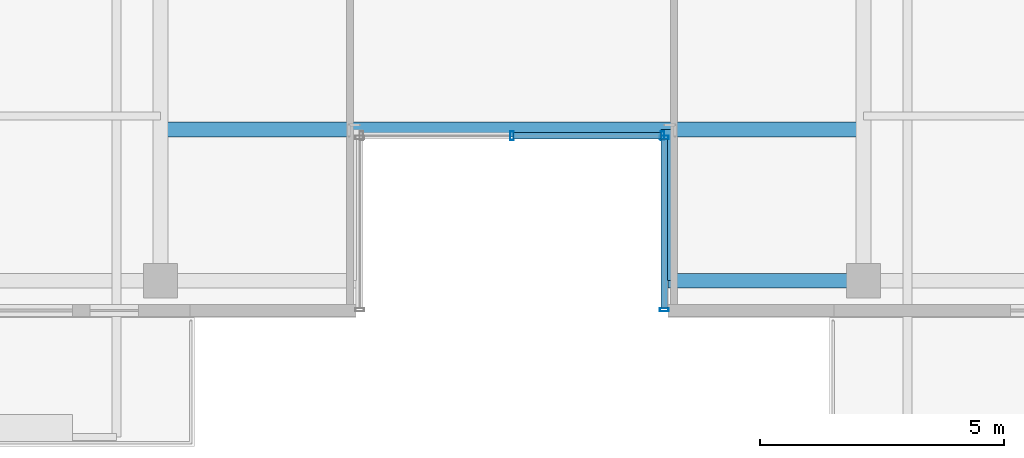
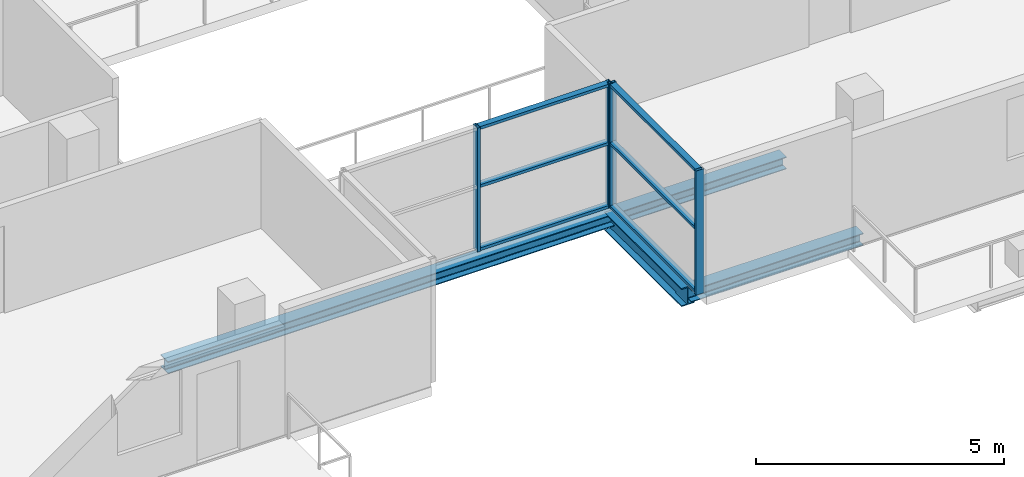
# One storey, part 7 of 23: 10 members, 3 beams, 2 elements without a shape of their own.
"""IFC4 building model written with IfcOpenShell, lengths in metres."""

from ifc_helpers import new_model, si_unit, direction, frame, origin, origin_2d, place, context, subcontext, project, spatial, hollow_rectangle, i_section, extrude, source, transform, mapped, material, layer, layer_set, material_profile, profile_set, type_object, element, aggregate, save


model = new_model("IFC4")

# Units and contexts
model_context = context("Model", 3, precision=1e-05, world=origin(), true_north=direction((0.0, 1.0)))
body_context = subcontext(model_context, "Body", "Model", "MODEL_VIEW")
ifc_project = project(units=[si_unit("LENGTHUNIT", "METRE"), si_unit("AREAUNIT", "SQUARE_METRE"), si_unit("VOLUMEUNIT", "CUBIC_METRE"), si_unit("PLANEANGLEUNIT", "RADIAN"), si_unit("MASSUNIT", "GRAM", prefix="KILO")], contexts=[model_context])

# Site, building, storey
site_placement = place(None, origin())
site = spatial("IfcSite", under=ifc_project, at=site_placement, CompositionType="ELEMENT")
building_placement = place(site_placement, origin())
building = spatial("IfcBuilding", under=site, at=building_placement, Name="Zarnakvel Exchange Tower", CompositionType="ELEMENT")
storey_placement = place(building_placement, frame((0.0, 0.0, 212.199951171875)))
storey = spatial("IfcBuildingStorey", under=building, at=storey_placement, Name="L59", CompositionType="ELEMENT", Elevation=212.199951171875)

# Beams
ifc_material_1 = material(Name="Steel S355", Category="steel")
ifc_material_profile_1 = material_profile(ifc_material_1, i_section(OverallWidth=0.300048828125, OverallDepth=0.449951171875, WebThickness=0.013916015625, FlangeThickness=0.02587890625, FilletRadius=0.027099609375, at=origin_2d()))
ifc_profile_set_1 = profile_set([ifc_material_profile_1], Name="Steel S355")
beam_type_1 = type_object("IfcBeamType", Name="G-07", PredefinedType="BEAM", material=ifc_profile_set_1)
beam_1_placement = place(storey_placement, frame((3.199951171875, -16.35009765625, -0.449951171875), z_axis=(0.0, 1.0, 0.0), x_axis=(-1.0, 0.0, 0.0)))
element("IfcBeam", 1, at=beam_1_placement, inside=storey, type_object=beam_type_1, Name="L59 South Slot East Cheek Beam", PredefinedType="BEAM", context=body_context, shape_type="SweptSolid", body=[
    extrude(i_section(OverallWidth=0.300048828125, OverallDepth=0.449951171875, WebThickness=0.013916015625, FlangeThickness=0.02587890625, FilletRadius=0.027099609375, at=origin_2d()), origin(), (0.0, 0.0, 1.0), 3.10009765625),
])
ifc_material_profile_2 = material_profile(ifc_material_1, i_section(OverallWidth=0.300048828125, OverallDepth=0.300048828125, WebThickness=0.010986328125, FlangeThickness=0.01904296875, FilletRadius=0.027099609375, at=origin_2d()))
ifc_profile_set_2 = profile_set([ifc_material_profile_2], Name="Steel S355")
beam_type_2 = type_object("IfcBeamType", Name="SP-03", PredefinedType="SPANDREL", material=ifc_profile_set_2)
beam_2_placement = place(storey_placement, frame((3.199951171875, -16.35009765625, -0.375), z_axis=(1.0, 0.0, 0.0), x_axis=(0.0, 1.0, 0.0)))
element("IfcBeam", 2, at=beam_2_placement, inside=storey, type_object=beam_type_2, Name="L59 South Slot East Jamb Spandrel", PredefinedType="SPANDREL", context=body_context, shape_type="SweptSolid", body=[
    extrude(i_section(OverallWidth=0.300048828125, OverallDepth=0.300048828125, WebThickness=0.010986328125, FlangeThickness=0.01904296875, FilletRadius=0.027099609375, at=origin_2d()), origin(), (0.0, 0.0, 1.0), 4.0),
])
beam_3_placement = place(storey_placement, frame((-7.199951171875, -13.25, -0.375), z_axis=(1.0, 0.0, 0.0), x_axis=(0.0, 1.0, 0.0)))
element("IfcBeam", 3, at=beam_3_placement, inside=storey, type_object=beam_type_2, Name="L59 South Slot Head Trimmer Girder", PredefinedType="SPANDREL", context=body_context, shape_type="SweptSolid", body=[
    extrude(i_section(OverallWidth=0.300048828125, OverallDepth=0.300048828125, WebThickness=0.010986328125, FlangeThickness=0.01904296875, FilletRadius=0.027099609375, at=origin_2d()), origin(), (0.0, 0.0, 1.0), 14.39990234375),
])

# Curtain wall, members
ifc_material_2 = material(Name="Architectural Bronze Anodised Aluminium", Category="aluminium")
ifc_layer = layer(ifc_material_2, 0.179931640625)
ifc_layer_set = layer_set([ifc_layer], Name="Architectural Bronze Anodised Aluminium")
curtain_wall_type = type_object("IfcCurtainWallType", Name="CW-05", PredefinedType="NOTDEFINED", material=ifc_layer_set)
curtain_wall_1_placement = place(storey_placement, origin())
curtain_wall_1 = element("IfcCurtainWall", 4, at=curtain_wall_1_placement, inside=storey, type_object=curtain_wall_type, Name="L59 Curtain Wall CW-L59-SLE (CW-05)", PredefinedType="NOTDEFINED")
ifc_material_profile_3 = material_profile(ifc_material_2, hollow_rectangle(XDim=0.139892578125, YDim=0.070068359375, WallThickness=0.00390625, at=origin_2d()))
ifc_profile_set_3 = profile_set([ifc_material_profile_3], Name="Architectural Bronze Anodised Aluminium")
member_type_1 = type_object("IfcMemberType", Name="CWT-05", PredefinedType="USERDEFINED", material=ifc_profile_set_3)
shared_shape_1 = source(origin(), body_context, "Body", "SweptSolid", [
    extrude(hollow_rectangle(XDim=0.139892578125, YDim=0.070068359375, WallThickness=0.00390625, at=origin_2d()), origin(), (0.0, 0.0, 1.0), 3.4599609375),
])
member_1_placement = place(storey_placement, frame((3.1201171875, -13.449951171875, 0.03515625), z_axis=(0.0, -1.0, 0.0), x_axis=(1.0, 0.0, 0.0)))
member_1 = element("IfcMember", 5, at=member_1_placement, type_object=member_type_1, Name="CW-05 transom 1.1", ObjectType="TRANSOM", PredefinedType="USERDEFINED", context=body_context, shape_type="MappedRepresentation", body=[
    mapped(shared_shape_1, transform((0.0, 0.0, 0.0), x_axis=(1.0, 0.0, 0.0), y_axis=(0.0, 1.0, 0.0), z_axis=(0.0, 0.0, 1.0), scale=1.0)),
])
member_2_placement = place(storey_placement, frame((3.1201171875, -13.449951171875, 1.588623046875), z_axis=(0.0, -1.0, 0.0), x_axis=(1.0, 0.0, 0.0)))
member_2 = element("IfcMember", 6, at=member_2_placement, type_object=member_type_1, Name="CW-05 transom 1.2", ObjectType="TRANSOM", PredefinedType="USERDEFINED", context=body_context, shape_type="MappedRepresentation", body=[
    mapped(shared_shape_1, transform((0.0, 0.0, 0.0), x_axis=(1.0, 0.0, 0.0), y_axis=(0.0, 1.0, 0.0), z_axis=(0.0, 0.0, 1.0), scale=1.0)),
])
member_3_placement = place(storey_placement, frame((3.1201171875, -13.449951171875, 3.02001953125), z_axis=(0.0, -1.0, 0.0), x_axis=(1.0, 0.0, 0.0)))
member_3 = element("IfcMember", 7, at=member_3_placement, type_object=member_type_1, Name="CW-05 transom 1.3", ObjectType="TRANSOM", PredefinedType="USERDEFINED", context=body_context, shape_type="MappedRepresentation", body=[
    mapped(shared_shape_1, transform((0.0, 0.0, 0.0), x_axis=(1.0, 0.0, 0.0), y_axis=(0.0, 1.0, 0.0), z_axis=(0.0, 0.0, 1.0), scale=1.0)),
])

curtain_wall_2_placement = place(storey_placement, origin())
curtain_wall_2 = element("IfcCurtainWall", 8, at=curtain_wall_2_placement, inside=storey, type_object=curtain_wall_type, Name="L59 Curtain Wall CW-L59-SLB (CW-05)", PredefinedType="NOTDEFINED")
shared_shape_2 = source(origin(), body_context, "Body", "SweptSolid", [
    extrude(hollow_rectangle(XDim=0.139892578125, YDim=0.070068359375, WallThickness=0.00390625, at=origin_2d()), origin(), (0.0, 0.0, 1.0), 3.01513671875),
])
member_4_placement = place(storey_placement, frame((0.034912109375, -13.3798828125, 0.03515625), z_axis=(1.0, 0.0, 0.0), x_axis=(0.0, 1.0, 0.0)))
member_4 = element("IfcMember", 9, at=member_4_placement, type_object=member_type_1, Name="CW-05 transom 2.1", ObjectType="TRANSOM", PredefinedType="USERDEFINED", context=body_context, shape_type="MappedRepresentation", body=[
    mapped(shared_shape_2, transform((0.0, 0.0, 0.0), x_axis=(1.0, 0.0, 0.0), y_axis=(0.0, 1.0, 0.0), z_axis=(0.0, 0.0, 1.0), scale=1.0)),
])
member_5_placement = place(storey_placement, frame((0.034912109375, -13.3798828125, 1.588623046875), z_axis=(1.0, 0.0, 0.0), x_axis=(0.0, 1.0, 0.0)))
member_5 = element("IfcMember", 10, at=member_5_placement, type_object=member_type_1, Name="CW-05 transom 2.2", ObjectType="TRANSOM", PredefinedType="USERDEFINED", context=body_context, shape_type="MappedRepresentation", body=[
    mapped(shared_shape_2, transform((0.0, 0.0, 0.0), x_axis=(1.0, 0.0, 0.0), y_axis=(0.0, 1.0, 0.0), z_axis=(0.0, 0.0, 1.0), scale=1.0)),
])
member_6_placement = place(storey_placement, frame((0.034912109375, -13.3798828125, 3.02001953125), z_axis=(1.0, 0.0, 0.0), x_axis=(0.0, 1.0, 0.0)))
member_6 = element("IfcMember", 11, at=member_6_placement, type_object=member_type_1, Name="CW-05 transom 2.3", ObjectType="TRANSOM", PredefinedType="USERDEFINED", context=body_context, shape_type="MappedRepresentation", body=[
    mapped(shared_shape_2, transform((0.0, 0.0, 0.0), x_axis=(1.0, 0.0, 0.0), y_axis=(0.0, 1.0, 0.0), z_axis=(0.0, 0.0, 1.0), scale=1.0)),
])
ifc_material_profile_4 = material_profile(ifc_material_2, hollow_rectangle(XDim=0.179931640625, YDim=0.070068359375, WallThickness=0.00390625, at=origin_2d()))
ifc_profile_set_4 = profile_set([ifc_material_profile_4], Name="Architectural Bronze Anodised Aluminium")
member_type_2 = type_object("IfcMemberType", Name="CWM-05", PredefinedType="MULLION", material=ifc_profile_set_4)
shared_shape_3 = source(origin(), body_context, "Body", "SweptSolid", [
    extrude(hollow_rectangle(XDim=0.179931640625, YDim=0.070068359375, WallThickness=0.00390625, at=origin_2d()), origin(), (0.0, 0.0, 1.0), 3.054931640625),
])
member_7_placement = place(storey_placement, frame((0.0, -13.3798828125, 0.0), z_axis=(0.0, 0.0, 1.0), x_axis=(0.0, 1.0, 0.0)))
member_7 = element("IfcMember", 12, at=member_7_placement, type_object=member_type_2, Name="CW-05 mullion 2", PredefinedType="MULLION", context=body_context, shape_type="MappedRepresentation", body=[
    mapped(shared_shape_3, transform((0.0, 0.0, 0.0), x_axis=(1.0, 0.0, 0.0), y_axis=(0.0, 1.0, 0.0), z_axis=(0.0, 0.0, 1.0), scale=1.0)),
])
member_8_placement = place(storey_placement, frame((3.0849609375, -13.3798828125, 0.0), z_axis=(0.0, 0.0, 1.0), x_axis=(0.0, 1.0, 0.0)))
member_8 = element("IfcMember", 13, at=member_8_placement, type_object=member_type_2, Name="CW-05 mullion 3", PredefinedType="MULLION", context=body_context, shape_type="MappedRepresentation", body=[
    mapped(shared_shape_3, transform((0.0, 0.0, 0.0), x_axis=(1.0, 0.0, 0.0), y_axis=(0.0, 1.0, 0.0), z_axis=(0.0, 0.0, 1.0), scale=1.0)),
])
aggregate(curtain_wall_2, [member_7, member_8, member_4, member_5, member_6])

# Member
member_9_placement = place(storey_placement, frame((3.1201171875, -13.4150390625, 0.0), z_axis=(0.0, 0.0, 1.0), x_axis=(1.0, 0.0, 0.0)))
member_9 = element("IfcMember", 14, at=member_9_placement, type_object=member_type_2, Name="CW-05 mullion 1", PredefinedType="MULLION", context=body_context, shape_type="MappedRepresentation", body=[
    mapped(shared_shape_3, transform((0.0, 0.0, 0.0), x_axis=(1.0, 0.0, 0.0), y_axis=(0.0, 1.0, 0.0), z_axis=(0.0, 0.0, 1.0), scale=1.0)),
])

member_10_placement = place(storey_placement, frame((3.1201171875, -16.945068359375, 0.0), z_axis=(0.0, 0.0, 1.0), x_axis=(1.0, 0.0, 0.0)))
member_10 = element("IfcMember", 15, at=member_10_placement, type_object=member_type_2, Name="CW-05 mullion 2", PredefinedType="MULLION", context=body_context, shape_type="MappedRepresentation", body=[
    mapped(shared_shape_3, transform((0.0, 0.0, 0.0), x_axis=(1.0, 0.0, 0.0), y_axis=(0.0, 1.0, 0.0), z_axis=(0.0, 0.0, 1.0), scale=1.0)),
])

aggregate(curtain_wall_1, [member_9, member_10, member_1, member_2, member_3])

save(model, "model.ifc")
